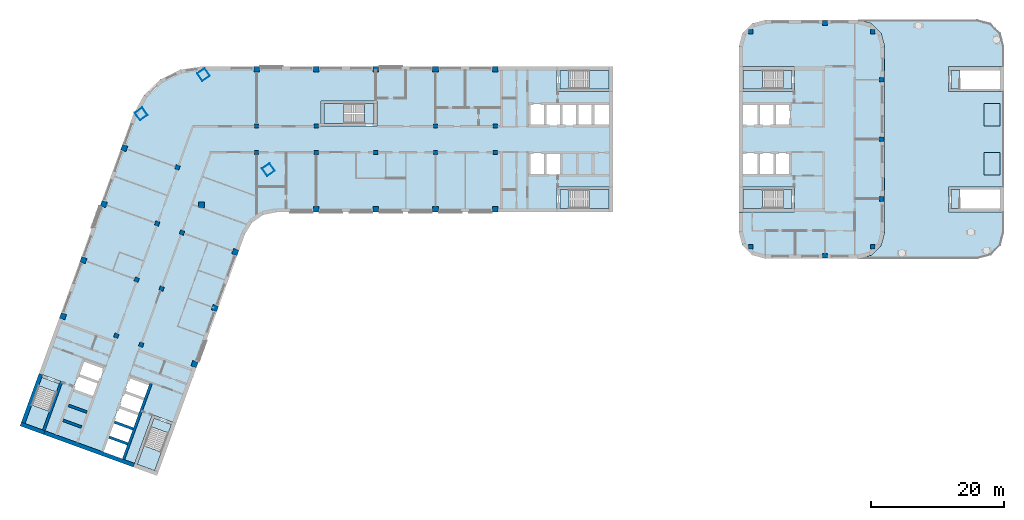
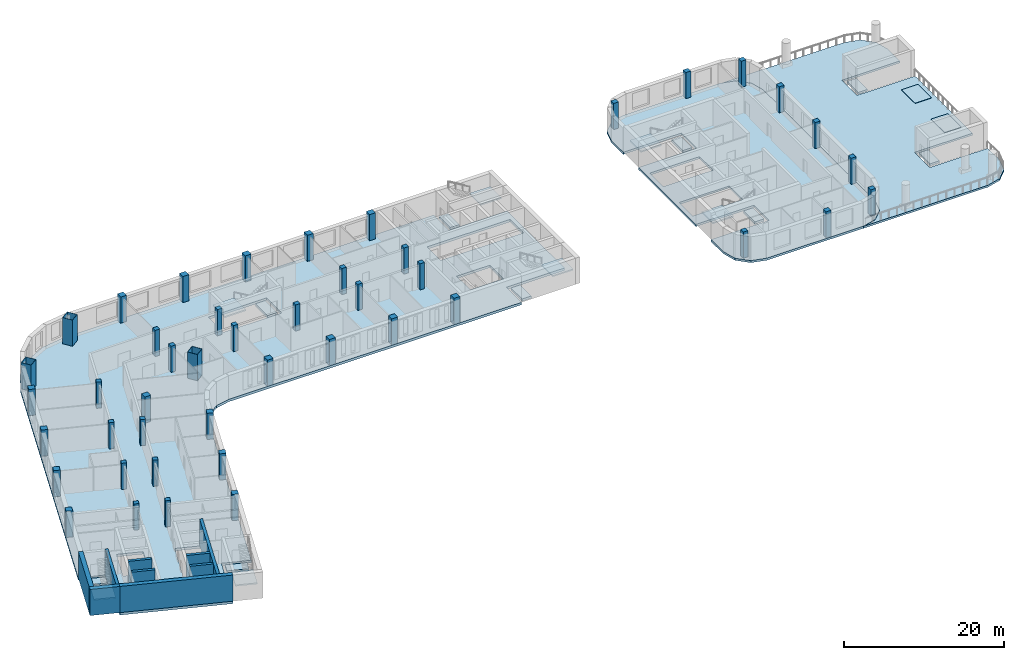
# One storey, part 1 of 14: 45 columns, 21 slabs, 9 walls, 7 elements without a shape of their own.
"""IFC4 building model written with IfcOpenShell, lengths in metres."""

from ifc_helpers import new_model, si_unit, direction, frame, frame_2d, origin, origin_2d, place, context, subcontext, project, spatial, polyline, rectangle, hollow_rectangle, outline, extrude, material, layer, layer_set, material_profile, profile_set, type_object, element, aggregate, save


model = new_model("IFC4")

# Units and contexts
model_context = context("Model", 3, precision=1e-05, world=origin(), true_north=direction((0.0, 1.0)))
body_context = subcontext(model_context, "Body", "Model", "MODEL_VIEW")
ifc_project = project(units=[si_unit("LENGTHUNIT", "METRE"), si_unit("AREAUNIT", "SQUARE_METRE"), si_unit("VOLUMEUNIT", "CUBIC_METRE"), si_unit("PLANEANGLEUNIT", "RADIAN"), si_unit("MASSUNIT", "GRAM", prefix="KILO")], contexts=[model_context])

# Site, building, storey
site_placement = place(None, origin())
site = spatial("IfcSite", under=ifc_project, at=site_placement, CompositionType="ELEMENT")
building_placement = place(site_placement, origin())
building = spatial("IfcBuilding", under=site, at=building_placement, Name="Skarvind Civic Tower", CompositionType="ELEMENT")
storey_placement = place(building_placement, frame((0.0, 0.0, 89.0)))
storey = spatial("IfcBuildingStorey", under=building, at=storey_placement, Name="L20", CompositionType="ELEMENT", Elevation=89.0)

# Columns
ifc_material_1 = material(Name="Concrete C60", Category="concrete")
ifc_material_profile_1 = material_profile(ifc_material_1, rectangle(XDim=0.64990234375, YDim=0.64990234375, at=origin_2d()), Name="RC-650x650")
ifc_profile_set_1 = profile_set([ifc_material_profile_1], Name="Concrete C60")
column_type_1 = type_object("IfcColumnType", Name="Column RC-650x650 C60", PredefinedType="COLUMN", material=ifc_profile_set_1)
for number, where, z_axis, x_axis, name in (
    (1, (54.25, 130.0, 0.0), (0.0, 0.0, 1.0), (1.0, 0.0, 0.0), "Column wing 1 north inner 02 L20"),
    (2, (63.25, 130.0, 0.0), (0.0, 0.0, 1.0), (1.0, 0.0, 0.0), "Column wing 1 north inner 03 L20"),
    (3, (81.25, 130.0, 0.0), (0.0, 0.0, 1.0), (1.0, 0.0, 0.0), "Column wing 1 north inner 05 L20"),
    (4, (90.25, 130.0, 0.0), (0.0, 0.0, 1.0), (1.0, 0.0, 0.0), "Column wing 1 north inner 06 L20"),
    (5, (54.25, 126.0, 0.0), (0.0, 0.0, 1.0), (1.0, 0.0, 0.0), "Column wing 1 south inner 02 L20"),
    (6, (63.25, 126.0, 0.0), (0.0, 0.0, 1.0), (1.0, 0.0, 0.0), "Column wing 1 south inner 03 L20"),
    (7, (72.25, 126.0, 0.0), (0.0, 0.0, 1.0), (1.0, 0.0, 0.0), "Column wing 1 south inner 04 L20"),
    (8, (81.25, 126.0, 0.0), (0.0, 0.0, 1.0), (1.0, 0.0, 0.0), "Column wing 1 south inner 05 L20"),
    (9, (90.25, 126.0, 0.0), (0.0, 0.0, 1.0), (1.0, 0.0, 0.0), "Column wing 1 south inner 06 L20"),
    (10, (43.005615234375, 113.92529296875, 0.0), (0.0, 0.0, 1.0), (-0.342020143326, -0.939692620786, 0.0), "Column wing 2 left inner 02 L20"),
    (11, (39.927490234375, 105.468017578125, 0.0), (0.0, 0.0, 1.0), (-0.342020143326, -0.939692620786, 0.0), "Column wing 2 left inner 03 L20"),
    (12, (36.84912109375, 97.010986328125, 0.0), (0.0, 0.0, 1.0), (-0.342020143326, -0.939692620786, 0.0), "Column wing 2 left inner 04 L20"),
    (13, (42.324951171875, 123.750732421875, 0.0), (0.0, 0.0, 1.0), (-0.342020143326, -0.939692620786, 0.0), "Column wing 2 right inner 01 L20"),
    (14, (39.246826171875, 115.29345703125, 0.0), (0.0, 0.0, 1.0), (-0.342020143326, -0.939692620786, 0.0), "Column wing 2 right inner 02 L20"),
    (15, (36.168701171875, 106.836181640625, 0.0), (0.0, 0.0, 1.0), (-0.342020143326, -0.939692620786, 0.0), "Column wing 2 right inner 03 L20"),
    (16, (33.090576171875, 98.37890625, 0.0), (0.0, 0.0, 1.0), (-0.342020143326, -0.939692620786, 0.0), "Column wing 2 right inner 04 L20"),
):
    element("IfcColumn", number, at=place(storey_placement, frame(where, z_axis=z_axis, x_axis=x_axis)), inside=storey, type_object=column_type_1, Name=name, PredefinedType="COLUMN", context=body_context, shape_type="SweptSolid", body=[
        extrude(rectangle(XDim=0.64990234375, YDim=0.64990234375, at=origin_2d()), origin(), (0.0, 0.0, 1.0), 4.0),
    ])
ifc_material_profile_2 = material_profile(ifc_material_1, rectangle(XDim=0.699951171875, YDim=0.699951171875, at=origin_2d()), Name="RC-700x700")
ifc_profile_set_2 = profile_set([ifc_material_profile_2], Name="Concrete C60")
column_type_2 = type_object("IfcColumnType", Name="Column RC-700x700 C60", PredefinedType="COLUMN", material=ifc_profile_set_2)
for number, where, z_axis, x_axis, name in (
    (17, (128.777099609375, 144.222900390625, 0.0), (0.0, 0.0, 1.0), (1.0, 0.0, 0.0), "Column second tower north-west corner L20"),
    (18, (128.777099609375, 111.777099609375, 0.0), (0.0, 0.0, 1.0), (1.0, 0.0, 0.0), "Column second tower south-west corner L20"),
    (19, (148.550048828125, 119.0, 0.0), (0.0, 0.0, 1.0), (1.0, 0.0, 0.0), "Column second tower middle line 01 L20"),
    (20, (148.550048828125, 128.0, 0.0), (0.0, 0.0, 1.0), (1.0, 0.0, 0.0), "Column second tower middle line 02 L20"),
    (21, (148.550048828125, 137.0, 0.0), (0.0, 0.0, 1.0), (1.0, 0.0, 0.0), "Column second tower middle line 03 L20"),
    (22, (140.0, 145.550048828125, 0.0), (0.0, 0.0, 1.0), (1.0, 0.0, 0.0), "Column second tower north perimeter 02 L20"),
    (23, (147.222900390625, 144.222900390625, 0.0), (0.0, 0.0, 1.0), (1.0, 0.0, 0.0), "Column second tower north perimeter 03 L20"),
    (24, (140.0, 110.449951171875, 0.0), (0.0, 0.0, 1.0), (1.0, 0.0, 0.0), "Column second tower south perimeter 02 L20"),
    (25, (147.222900390625, 111.777099609375, 0.0), (0.0, 0.0, 1.0), (1.0, 0.0, 0.0), "Column second tower south perimeter 03 L20"),
):
    element("IfcColumn", number, at=place(storey_placement, frame(where, z_axis=z_axis, x_axis=x_axis)), inside=storey, type_object=column_type_2, Name=name, PredefinedType="COLUMN", context=body_context, shape_type="SweptSolid", body=[
        extrude(rectangle(XDim=0.699951171875, YDim=0.699951171875, at=origin_2d()), origin(), (0.0, 0.0, 1.0), 4.0),
    ])
ifc_material_2 = material(Name="Concrete C80", Category="concrete")
ifc_material_profile_3 = material_profile(ifc_material_2, rectangle(XDim=0.85009765625, YDim=0.85009765625, at=origin_2d()), Name="RC-850x850")
ifc_profile_set_3 = profile_set([ifc_material_profile_3], Name="Concrete C80")
column_type_3 = type_object("IfcColumnType", Name="Column RC-850x850 C80", PredefinedType="COLUMN", material=ifc_profile_set_3)
for number, where, z_axis, x_axis, name in (
    (26, (54.25, 138.550048828125, 0.0), (0.0, 0.0, 1.0), (1.0, 0.0, 0.0), "Column wing 1 north perimeter 02 L20"),
    (27, (63.25, 138.550048828125, 0.0), (0.0, 0.0, 1.0), (1.0, 0.0, 0.0), "Column wing 1 north perimeter 03 L20"),
    (28, (72.25, 138.550048828125, 0.0), (0.0, 0.0, 1.0), (1.0, 0.0, 0.0), "Column wing 1 north perimeter 04 L20"),
    (29, (81.25, 138.550048828125, 0.0), (0.0, 0.0, 1.0), (1.0, 0.0, 0.0), "Column wing 1 north perimeter 05 L20"),
    (30, (90.25, 138.550048828125, 0.0), (0.0, 0.0, 1.0), (1.0, 0.0, 0.0), "Column wing 1 north perimeter 06 L20"),
    (31, (45.95166015625, 118.151611328125, 0.0), (0.0, 0.0, 1.0), (1.0, 0.0, 0.0), "Column wing 1 south perimeter 01 L20"),
    (32, (63.25, 117.449951171875, 0.0), (0.0, 0.0, 1.0), (1.0, 0.0, 0.0), "Column wing 1 south perimeter 03 L20"),
    (33, (72.25, 117.449951171875, 0.0), (0.0, 0.0, 1.0), (1.0, 0.0, 0.0), "Column wing 1 south perimeter 04 L20"),
    (34, (81.25, 117.449951171875, 0.0), (0.0, 0.0, 1.0), (1.0, 0.0, 0.0), "Column wing 1 south perimeter 05 L20"),
    (35, (90.25, 117.449951171875, 0.0), (0.0, 0.0, 1.0), (1.0, 0.0, 0.0), "Column wing 1 south perimeter 06 L20"),
    (36, (51.0400390625, 111.0009765625, 0.0), (0.0, 0.0, 1.0), (-0.342020143326, -0.939692620786, 0.0), "Column wing 2 left perimeter 02 L20"),
    (37, (47.961669921875, 102.5439453125, 0.0), (0.0, 0.0, 1.0), (-0.342020143326, -0.939692620786, 0.0), "Column wing 2 left perimeter 03 L20"),
    (38, (44.883544921875, 94.086669921875, 0.0), (0.0, 0.0, 1.0), (-0.342020143326, -0.939692620786, 0.0), "Column wing 2 left perimeter 04 L20"),
    (39, (34.29052734375, 126.6748046875, 0.0), (0.0, 0.0, 1.0), (-0.342020143326, -0.939692620786, 0.0), "Column wing 2 right perimeter 01 L20"),
    (40, (31.21240234375, 118.2177734375, 0.0), (0.0, 0.0, 1.0), (-0.342020143326, -0.939692620786, 0.0), "Column wing 2 right perimeter 02 L20"),
    (41, (28.13427734375, 109.760498046875, 0.0), (0.0, 0.0, 1.0), (-0.342020143326, -0.939692620786, 0.0), "Column wing 2 right perimeter 03 L20"),
    (42, (25.05615234375, 101.30322265625, 0.0), (0.0, 0.0, 1.0), (-0.342020143326, -0.939692620786, 0.0), "Column wing 2 right perimeter 04 L20"),
):
    element("IfcColumn", number, at=place(storey_placement, frame(where, z_axis=z_axis, x_axis=x_axis)), inside=storey, type_object=column_type_3, Name=name, PredefinedType="COLUMN", context=body_context, shape_type="SweptSolid", body=[
        extrude(rectangle(XDim=0.85009765625, YDim=0.85009765625, at=origin_2d()), origin(), (0.0, 0.0, 1.0), 4.0),
    ])
ifc_material_3 = material(Name="Composite concrete-filled steel tube, Steel SM355 with Concrete C80", Category="concrete")
ifc_material_profile_4 = material_profile(ifc_material_3, hollow_rectangle(XDim=1.39990234375, YDim=1.39990234375, WallThickness=0.0400390625, at=origin_2d()), Name="BOX-1400x1400x40")
ifc_profile_set_4 = profile_set([ifc_material_profile_4], Name="Composite concrete-filled steel tube, Steel SM355 with Concrete C80")
column_type_4 = type_object("IfcColumnType", Name="Mega column BOX-1400x1400x40 filled C80", PredefinedType="COLUMN", material=ifc_profile_set_4)
for number, where, z_axis, x_axis, name in (
    (43, (36.845947265625, 131.837646484375, 0.0), (0.0, 0.0, 1.0), (0.573576436351, -0.819152044289, 0.0), "Mega column 1 L20"),
    (44, (46.2470703125, 137.762451171875, 0.0), (0.0, 0.0, 1.0), (0.573576436351, -0.819152044289, 0.0), "Mega column 2 L20"),
    (45, (56.0361328125, 123.43017578125, 0.0), (0.0, 0.0, 1.0), (0.573576436351, -0.819152044289, 0.0), "Mega column 4 L20"),
):
    element("IfcColumn", number, at=place(storey_placement, frame(where, z_axis=z_axis, x_axis=x_axis)), inside=storey, type_object=column_type_4, Name=name, PredefinedType="COLUMN", context=body_context, shape_type="SweptSolid", body=[
        extrude(hollow_rectangle(XDim=1.39990234375, YDim=1.39990234375, WallThickness=0.0400390625, at=origin_2d()), origin(), (0.0, 0.0, 1.0), 4.0),
    ])

# Slabs
ifc_material_4 = material(Name="Concrete C50", Category="concrete")
ifc_layer_1 = layer(ifc_material_4, 0.375)
ifc_layer_set_1 = layer_set([ifc_layer_1], Name="Floor slab 375 C50")
slab_type_1 = type_object("IfcSlabType", Name="Floor slab 375 C50", PredefinedType="FLOOR", material=ifc_layer_set_1)
slab_1_placement = place(storey_placement, frame((0.0, 0.0, -0.375)))
element("IfcSlab", 46, at=slab_1_placement, inside=storey, type_object=slab_type_1, Name="Floor slab L20 1", PredefinedType="FLOOR", context=body_context, shape_type="SweptSolid", body=[
    extrude(outline(polyline([(99.60009765625, 117.0), (99.60009765625, 120.800048828125), (108.0, 120.800048828125), (108.0, 135.199951171875), (99.60009765625, 135.199951171875), (99.60009765625, 139.0), (46.095458984375, 139.0), (42.739501953125, 138.5009765625), (39.6943359375, 137.005615234375), (37.24755859375, 134.6552734375), (35.630615234375, 131.672607421875), (19.41748046875, 87.126708984375), (21.435302734375, 92.6708984375), (25.006103515625, 91.371337890625), (22.13330078125, 83.477783203125), (36.886474609375, 78.108154296875), (35.664794921875, 78.552734375), (38.53759765625, 86.4462890625), (42.108642578125, 85.146484375), (40.0908203125, 79.602294921875), (40.0908203125, 79.602294921875), (52.493896484375, 113.68017578125), (53.560791015625, 115.421630859375), (55.23388671875, 116.593017578125), (57.235107421875, 117.0), (99.60009765625, 117.0)]), holes=[polyline([(32.625244140625, 85.40576171875), (33.446044921875, 87.660888671875), (34.26708984375, 89.916259765625), (35.087890625, 92.17138671875), (38.28271484375, 91.008544921875), (37.4619140625, 88.75341796875), (36.64111328125, 86.498046875), (35.8203125, 84.242919921875), (35.8203125, 84.242919921875), (34.99951171875, 81.987548828125), (34.178466796875, 79.732421875), (30.983642578125, 80.89501953125), (31.804443359375, 83.150390625), (32.625244140625, 85.40576171875), (32.625244140625, 85.40576171875)]), polyline([(31.3291015625, 93.53955078125), (30.50830078125, 91.2841796875), (29.6875, 89.029052734375), (26.492431640625, 90.19189453125), (27.313232421875, 92.447021484375), (28.134033203125, 94.702392578125), (31.3291015625, 93.53955078125)]), polyline([(64.0, 130.0), (64.0, 133.800048828125), (72.39990234375, 133.800048828125), (72.39990234375, 130.0), (64.0, 130.0)]), polyline([(100.199951171875, 126.0), (100.199951171875, 122.60009765625), (97.800048828125, 122.60009765625), (95.39990234375, 122.60009765625), (95.39990234375, 126.0), (97.800048828125, 126.0), (100.199951171875, 126.0)]), polyline([(100.199951171875, 133.39990234375), (102.60009765625, 133.39990234375), (105.0, 133.39990234375), (107.39990234375, 133.39990234375), (107.39990234375, 130.0), (105.0, 130.0), (102.60009765625, 130.0), (100.199951171875, 130.0), (97.800048828125, 130.0), (95.39990234375, 130.0), (95.39990234375, 133.39990234375), (97.800048828125, 133.39990234375), (100.199951171875, 133.39990234375)])]), origin(), (0.0, 0.0, 1.0), 0.375),
])
ifc_material_5 = material(Name="Concrete C40/50", Category="concrete")
ifc_layer_2 = layer(ifc_material_5, 0.300048828125)
ifc_layer_set_2 = layer_set([ifc_layer_2], Name="Lift overrun roof slab")
slab_type_2 = type_object("IfcSlabType", Name="Lift overrun roof slab", PredefinedType="ROOF", material=ifc_layer_set_2)
slab_2_placement = place(storey_placement, frame((0.0, 0.0, -0.300048828125)))
element("IfcSlab", 47, at=slab_2_placement, inside=storey, type_object=slab_type_2, Name="Lift overrun roof slab", PredefinedType="ROOF", context=body_context, shape_type="SweptSolid", body=[
    extrude(outline(polyline([(166.39990234375, 133.39990234375), (164.0, 133.39990234375), (164.0, 130.0), (166.39990234375, 130.0), (166.39990234375, 133.39990234375)])), origin(), (0.0, 0.0, 1.0), 0.300048828125),
])
slab_3_placement = place(storey_placement, frame((0.0, 0.0, -0.300048828125)))
element("IfcSlab", 48, at=slab_3_placement, inside=storey, type_object=slab_type_2, Name="Lift overrun roof slab", PredefinedType="ROOF", context=body_context, shape_type="SweptSolid", body=[
    extrude(outline(polyline([(166.39990234375, 126.0), (164.0, 126.0), (164.0, 122.60009765625), (166.39990234375, 122.60009765625), (166.39990234375, 126.0)])), origin(), (0.0, 0.0, 1.0), 0.300048828125),
])
ifc_layer_3 = layer(ifc_material_4, 0.324951171875)
ifc_layer_set_3 = layer_set([ifc_layer_3], Name="Second tower floor slab 325 C50")
slab_type_3 = type_object("IfcSlabType", Name="Second tower floor slab 325 C50", PredefinedType="FLOOR", material=ifc_layer_set_3)
slab_4_placement = place(storey_placement, frame((0.0, 0.0, -0.324951171875)))
element("IfcSlab", 49, at=slab_4_placement, inside=storey, type_object=slab_type_3, Name="Floor slab L20 1", PredefinedType="FLOOR", context=body_context, shape_type="SweptSolid", body=[
    extrude(outline(polyline([(127.0, 139.0), (135.39990234375, 139.0), (135.39990234375, 135.199951171875), (127.0, 135.199951171875), (127.0, 120.800048828125), (135.39990234375, 120.800048828125), (135.39990234375, 117.0), (127.0, 117.0), (127.0, 114.0), (127.535888671875, 112.0), (129.0, 110.535888671875), (131.0, 110.0), (145.0, 110.0), (147.0, 110.535888671875), (148.464111328125, 112.0), (149.0, 114.0), (149.0, 142.0), (148.464111328125, 144.0), (147.0, 145.464111328125), (145.0, 146.0), (131.0, 146.0), (129.0, 145.464111328125), (127.535888671875, 144.0), (127.0, 142.0), (127.0, 139.0)]), holes=[polyline([(132.39990234375, 126.0), (134.800048828125, 126.0), (134.800048828125, 122.60009765625), (132.39990234375, 122.60009765625), (130.0, 122.60009765625), (127.60009765625, 122.60009765625), (127.60009765625, 126.0), (130.0, 126.0), (132.39990234375, 126.0)]), polyline([(130.0, 133.39990234375), (132.39990234375, 133.39990234375), (134.800048828125, 133.39990234375), (134.800048828125, 130.0), (132.39990234375, 130.0), (130.0, 130.0), (127.60009765625, 130.0), (127.60009765625, 133.39990234375), (130.0, 133.39990234375)])]), origin(), (0.0, 0.0, 1.0), 0.324951171875),
])
ifc_layer_4 = layer(ifc_material_5, 0.300048828125)
ifc_layer_set_4 = layer_set([ifc_layer_4], Name="Stair floor landing slab 300")
slab_type_4 = type_object("IfcSlabType", Name="Stair floor landing slab 300", PredefinedType="LANDING", material=ifc_layer_set_4)
slab_5_placement = place(storey_placement, frame((0.0, 0.0, -0.300048828125)))
element("IfcSlab", 50, at=slab_5_placement, inside=storey, type_object=slab_type_4, Name="Stair floor landing", PredefinedType="LANDING", context=body_context, shape_type="SweptSolid", body=[
    extrude(outline(polyline([(160.3505859375, 138.400634765625), (160.3505859375, 135.599365234375), (158.99951171875, 135.599365234375), (158.99951171875, 138.400634765625), (160.3505859375, 138.400634765625)])), origin(), (0.0, 0.0, 1.0), 0.300048828125),
])
slab_6_placement = place(storey_placement, frame((0.0, 0.0, -0.300048828125)))
element("IfcSlab", 51, at=slab_6_placement, inside=storey, type_object=slab_type_4, Name="Stair floor landing", PredefinedType="LANDING", context=body_context, shape_type="SweptSolid", body=[
    extrude(outline(polyline([(160.3505859375, 120.400634765625), (160.3505859375, 117.599365234375), (158.99951171875, 117.599365234375), (158.99951171875, 120.400634765625), (160.3505859375, 120.400634765625)])), origin(), (0.0, 0.0, 1.0), 0.300048828125),
])
ifc_layer_5 = layer(ifc_material_5, 0.375)
ifc_layer_set_5 = layer_set([ifc_layer_5], Name="Stair floor landing slab 375")
slab_type_5 = type_object("IfcSlabType", Name="Stair floor landing slab 375", PredefinedType="LANDING", material=ifc_layer_set_5)
slab_7_placement = place(storey_placement, frame((0.0, 0.0, -0.375)))
element("IfcSlab", 52, at=slab_7_placement, inside=storey, type_object=slab_type_5, Name="Stair floor landing", PredefinedType="LANDING", context=body_context, shape_type="SweptSolid", body=[
    extrude(outline(polyline([(101.3505859375, 138.400634765625), (101.3505859375, 135.599365234375), (99.99951171875, 135.599365234375), (99.99951171875, 138.400634765625), (101.3505859375, 138.400634765625)])), origin(), (0.0, 0.0, 1.0), 0.375),
])
slab_8_placement = place(storey_placement, frame((0.0, 0.0, -0.375)))
element("IfcSlab", 53, at=slab_8_placement, inside=storey, type_object=slab_type_5, Name="Stair floor landing", PredefinedType="LANDING", context=body_context, shape_type="SweptSolid", body=[
    extrude(outline(polyline([(101.3505859375, 120.400634765625), (101.3505859375, 117.599365234375), (99.99951171875, 117.599365234375), (99.99951171875, 120.400634765625), (101.3505859375, 120.400634765625)])), origin(), (0.0, 0.0, 1.0), 0.375),
])
slab_9_placement = place(storey_placement, frame((0.0, 0.0, -0.375)))
element("IfcSlab", 54, at=slab_9_placement, inside=storey, type_object=slab_type_5, Name="Stair floor landing", PredefinedType="LANDING", context=body_context, shape_type="SweptSolid", body=[
    extrude(outline(polyline([(40.946533203125, 83.70654296875), (38.314208984375, 84.66455078125), (38.7763671875, 85.934326171875), (41.40869140625, 84.976318359375), (40.946533203125, 83.70654296875)])), origin(), (0.0, 0.0, 1.0), 0.375),
])
slab_10_placement = place(storey_placement, frame((0.0, 0.0, -0.375)))
element("IfcSlab", 55, at=slab_10_placement, inside=storey, type_object=slab_type_5, Name="Stair floor landing", PredefinedType="LANDING", context=body_context, shape_type="SweptSolid", body=[
    extrude(outline(polyline([(24.0322265625, 89.863037109375), (21.39990234375, 90.821044921875), (21.862060546875, 92.090576171875), (24.494384765625, 91.132568359375), (24.0322265625, 89.863037109375)])), origin(), (0.0, 0.0, 1.0), 0.375),
])
slab_11_placement = place(storey_placement, frame((0.0, 0.0, -0.375)))
element("IfcSlab", 56, at=slab_11_placement, inside=storey, type_object=slab_type_5, Name="Stair floor landing", PredefinedType="LANDING", context=body_context, shape_type="SweptSolid", body=[
    extrude(outline(polyline([(133.6494140625, 117.599365234375), (133.6494140625, 120.400634765625), (135.00048828125, 120.400634765625), (135.00048828125, 117.599365234375), (133.6494140625, 117.599365234375)])), origin(), (0.0, 0.0, 1.0), 0.375),
])
slab_12_placement = place(storey_placement, frame((0.0, 0.0, -0.375)))
element("IfcSlab", 57, at=slab_12_placement, inside=storey, type_object=slab_type_5, Name="Stair floor landing", PredefinedType="LANDING", context=body_context, shape_type="SweptSolid", body=[
    extrude(outline(polyline([(133.6494140625, 135.599365234375), (133.6494140625, 138.400634765625), (135.00048828125, 138.400634765625), (135.00048828125, 135.599365234375), (133.6494140625, 135.599365234375)])), origin(), (0.0, 0.0, 1.0), 0.375),
])
slab_13_placement = place(storey_placement, frame((0.0, 0.0, -0.375)))
element("IfcSlab", 58, at=slab_13_placement, inside=storey, type_object=slab_type_5, Name="Stair floor landing", PredefinedType="LANDING", context=body_context, shape_type="SweptSolid", body=[
    extrude(outline(polyline([(70.54931640625, 130.3994140625), (70.54931640625, 133.400634765625), (72.00048828125, 133.400634765625), (72.00048828125, 130.3994140625), (70.54931640625, 130.3994140625)])), origin(), (0.0, 0.0, 1.0), 0.375),
])

# Stair, slab
stair_type_1 = type_object("IfcStairType", Name="Exit stair, half-turn, concrete", PredefinedType="HALF_TURN_STAIR", material=ifc_material_5)
stair_1_placement = place(storey_placement, origin())
stair_1 = element("IfcStair", 59, at=stair_1_placement, inside=storey, type_object=stair_type_1, Name="Exit stair C1S", PredefinedType="HALF_TURN_STAIR")
ifc_layer_6 = layer(ifc_material_5, 0.199951171875)
ifc_layer_set_6 = layer_set([ifc_layer_6], Name="Stair half landing slab")
slab_type_6 = type_object("IfcSlabType", Name="Stair half landing slab", PredefinedType="LANDING", material=ifc_layer_set_6)
slab_14_placement = place(storey_placement, frame((0.0, 0.0, 1.800048828125)))
slab_14 = element("IfcSlab", 60, at=slab_14_placement, type_object=slab_type_6, Name="ST-C1S landing 1", PredefinedType="LANDING", context=body_context, shape_type="SweptSolid", body=[
    extrude(outline(polyline([(104.429443359375, 135.599365234375), (104.429443359375, 138.400634765625), (107.400634765625, 138.400634765625), (107.400634765625, 135.599365234375), (104.429443359375, 135.599365234375)])), origin(), (0.0, 0.0, 1.0), 0.199951171875),
])
aggregate(stair_1, [slab_14])

stair_2_placement = place(storey_placement, origin())
stair_2 = element("IfcStair", 61, at=stair_2_placement, inside=storey, type_object=stair_type_1, Name="Exit stair C1N", PredefinedType="HALF_TURN_STAIR")
slab_15_placement = place(storey_placement, frame((0.0, 0.0, 1.800048828125)))
slab_15 = element("IfcSlab", 62, at=slab_15_placement, type_object=slab_type_6, Name="ST-C1N landing 1", PredefinedType="LANDING", context=body_context, shape_type="SweptSolid", body=[
    extrude(outline(polyline([(104.429443359375, 117.599365234375), (104.429443359375, 120.400634765625), (107.400634765625, 120.400634765625), (107.400634765625, 117.599365234375), (104.429443359375, 117.599365234375)])), origin(), (0.0, 0.0, 1.0), 0.199951171875),
])
aggregate(stair_2, [slab_15])

stair_3_placement = place(storey_placement, origin())
stair_3 = element("IfcStair", 63, at=stair_3_placement, inside=storey, type_object=stair_type_1, Name="Exit stair C2S", PredefinedType="HALF_TURN_STAIR")
slab_16_placement = place(storey_placement, frame((0.0, 0.0, 1.800048828125)))
slab_16 = element("IfcSlab", 64, at=slab_16_placement, type_object=slab_type_6, Name="ST-C2S landing 1", PredefinedType="LANDING", context=body_context, shape_type="SweptSolid", body=[
    extrude(outline(polyline([(37.26123046875, 81.771484375), (39.8935546875, 80.8134765625), (38.87744140625, 78.021484375), (36.2451171875, 78.9794921875), (37.26123046875, 81.771484375)])), origin(), (0.0, 0.0, 1.0), 0.199951171875),
])
aggregate(stair_3, [slab_16])

stair_4_placement = place(storey_placement, origin())
stair_4 = element("IfcStair", 65, at=stair_4_placement, inside=storey, type_object=stair_type_1, Name="Exit stair C2N", PredefinedType="HALF_TURN_STAIR")
slab_17_placement = place(storey_placement, frame((0.0, 0.0, 1.800048828125)))
slab_17 = element("IfcSlab", 66, at=slab_17_placement, type_object=slab_type_6, Name="ST-C2N landing 1", PredefinedType="LANDING", context=body_context, shape_type="SweptSolid", body=[
    extrude(outline(polyline([(20.346923828125, 87.927734375), (22.97900390625, 86.9697265625), (21.962890625, 84.177734375), (19.33056640625, 85.1357421875), (20.346923828125, 87.927734375)])), origin(), (0.0, 0.0, 1.0), 0.199951171875),
])
aggregate(stair_4, [slab_17])

stair_5_placement = place(storey_placement, origin())
stair_5 = element("IfcStair", 67, at=stair_5_placement, inside=storey, type_object=stair_type_1, Name="Exit stair CAS", PredefinedType="HALF_TURN_STAIR")
slab_18_placement = place(storey_placement, frame((0.0, 0.0, 1.800048828125)))
slab_18 = element("IfcSlab", 68, at=slab_18_placement, type_object=slab_type_6, Name="ST-CAS landing 1", PredefinedType="LANDING", context=body_context, shape_type="SweptSolid", body=[
    extrude(outline(polyline([(130.570556640625, 120.400634765625), (130.570556640625, 117.599365234375), (127.599365234375, 117.599365234375), (127.599365234375, 120.400634765625), (130.570556640625, 120.400634765625)])), origin(), (0.0, 0.0, 1.0), 0.199951171875),
])
aggregate(stair_5, [slab_18])

stair_6_placement = place(storey_placement, origin())
stair_6 = element("IfcStair", 69, at=stair_6_placement, inside=storey, type_object=stair_type_1, Name="Exit stair CAN", PredefinedType="HALF_TURN_STAIR")
slab_19_placement = place(storey_placement, frame((0.0, 0.0, 1.800048828125)))
slab_19 = element("IfcSlab", 70, at=slab_19_placement, type_object=slab_type_6, Name="ST-CAN landing 1", PredefinedType="LANDING", context=body_context, shape_type="SweptSolid", body=[
    extrude(outline(polyline([(130.570556640625, 138.400634765625), (130.570556640625, 135.599365234375), (127.599365234375, 135.599365234375), (127.599365234375, 138.400634765625), (130.570556640625, 138.400634765625)])), origin(), (0.0, 0.0, 1.0), 0.199951171875),
])
aggregate(stair_6, [slab_19])

stair_type_2 = type_object("IfcStairType", Name="Exit stair 1450, half-turn, concrete", PredefinedType="HALF_TURN_STAIR", material=ifc_material_5)
stair_7_placement = place(storey_placement, origin())
stair_7 = element("IfcStair", 71, at=stair_7_placement, inside=storey, type_object=stair_type_2, Name="Exit stair CM", PredefinedType="HALF_TURN_STAIR")
slab_20_placement = place(storey_placement, frame((0.0, 0.0, 1.800048828125)))
slab_20 = element("IfcSlab", 72, at=slab_20_placement, type_object=slab_type_6, Name="ST-CM landing 1", PredefinedType="LANDING", context=body_context, shape_type="SweptSolid", body=[
    extrude(outline(polyline([(67.470703125, 133.400634765625), (67.470703125, 130.3994140625), (64.3994140625, 130.3994140625), (64.3994140625, 133.400634765625), (67.470703125, 133.400634765625)])), origin(), (0.0, 0.0, 1.0), 0.199951171875),
])
aggregate(stair_7, [slab_20])

# Slab
ifc_layer_7 = layer(ifc_material_4, 0.300048828125)
ifc_layer_set_7 = layer_set([ifc_layer_7], Name="Terrace slab 300 C50")
slab_type_7 = type_object("IfcSlabType", Name="Terrace slab 300 C50", PredefinedType="FLOOR", material=ifc_layer_set_7)
slab_21_placement = place(storey_placement, frame((0.0, 0.0, -0.35009765625)))
element("IfcSlab", 73, at=slab_21_placement, inside=storey, type_object=slab_type_7, Name="Terrace slab L20 1", PredefinedType="FLOOR", context=body_context, shape_type="SweptSolid", body=[
    extrude(outline(polyline([(163.0, 146.0), (145.0, 146.0), (147.0, 145.464111328125), (148.464111328125, 144.0), (149.0, 142.0), (149.0, 114.0), (148.464111328125, 112.0), (147.0, 110.535888671875), (145.0, 110.0), (163.0, 110.0), (165.0, 110.535888671875), (166.464111328125, 112.0), (167.0, 114.0), (167.0, 117.0), (158.60009765625, 117.0), (158.60009765625, 120.800048828125), (167.0, 120.800048828125), (167.0, 135.199951171875), (158.60009765625, 135.199951171875), (158.60009765625, 139.0), (167.0, 139.0), (167.0, 142.0), (166.464111328125, 144.0), (165.0, 145.464111328125), (163.0, 146.0)]), holes=[polyline([(166.39990234375, 122.60009765625), (164.0, 122.60009765625), (164.0, 126.0), (166.39990234375, 126.0), (166.39990234375, 122.60009765625)]), polyline([(166.39990234375, 130.0), (164.0, 130.0), (164.0, 133.39990234375), (166.39990234375, 133.39990234375), (166.39990234375, 130.0)])]), origin(), (0.0, 0.0, 1.0), 0.300048828125),
])

# Walls
ifc_layer_8 = layer(ifc_material_2, 0.39990234375)
ifc_layer_set_8 = layer_set([ifc_layer_8], Name="Core wall 400 C80")
wall_type_1 = type_object("IfcWallType", Name="Core wall 400 C80", PredefinedType="SHEAR", material=ifc_layer_set_8)
wall_1_placement = place(storey_placement, frame((22.150390625, 84.110107421875, 0.0), z_axis=(0.0, 0.0, 1.0), x_axis=(0.342016982193, 0.939693771338, 0.0)))
element("IfcWall", 74, at=wall_1_placement, inside=storey, type_object=wall_type_1, Name="Core wall C2 north stair inner L20", PredefinedType="SHEAR", context=body_context, shape_type="SweptSolid", body=[
    extrude(rectangle(XDim=7.800048828125, YDim=0.39990234375, at=frame_2d((3.89990234375, 0.0))), origin(), (0.0, 0.0, 1.0), 4.0),
])
wall_2_placement = place(storey_placement, frame((34.178466796875, 79.732177734375, 0.0), z_axis=(0.0, 0.0, 1.0), x_axis=(0.342014590177, 0.939694641948, 0.0)))
element("IfcWall", 75, at=wall_2_placement, inside=storey, type_object=wall_type_1, Name="Core wall C2 south lift row back L20", PredefinedType="SHEAR", context=body_context, shape_type="SweptSolid", body=[
    extrude(rectangle(XDim=12.2001953125, YDim=0.39990234375, at=frame_2d((6.10009765625, 0.0))), origin(), (0.0, 0.0, 1.0), 4.0),
])
for number, where, z_axis, x_axis, name in (
    (76, (34.8115234375, 82.055908203125, 0.0), (0.0, 0.0, 1.0), (-0.939686455819, 0.342037080957, 0.0), "Core wall C2 south lift row division 1 L20"),
    (77, (35.63232421875, 84.311279296875, 0.0), (0.0, 0.0, 1.0), (-0.939712609717, 0.341965219194, 0.0), "Core wall C2 south lift row division 2 L20"),
    (78, (27.857666015625, 84.5869140625, 0.0), (0.0, 0.0, 1.0), (-0.939686455819, 0.342037080957, 0.0), "Core wall C2 north lift row division 1 L20"),
):
    element("IfcWall", number, at=place(storey_placement, frame(where, z_axis=z_axis, x_axis=x_axis)), inside=storey, type_object=wall_type_1, Name=name, PredefinedType="SHEAR", context=body_context, shape_type="SweptSolid", body=[
        extrude(rectangle(XDim=3.0, YDim=0.39990234375, at=frame_2d((1.5, 0.0))), origin(), (0.0, 0.0, 1.0), 4.0),
    ])
wall_3_placement = place(storey_placement, frame((28.678466796875, 86.842041015625, 0.0), z_axis=(0.0, 0.0, 1.0), x_axis=(-0.939676934218, 0.342063238742, 0.0)))
element("IfcWall", 79, at=wall_3_placement, inside=storey, type_object=wall_type_1, Name="Core wall C2 north lift row division 2 L20", PredefinedType="SHEAR", context=body_context, shape_type="SweptSolid", body=[
    extrude(rectangle(XDim=2.999755859375, YDim=0.39990234375, at=frame_2d((1.5, 0.0))), origin(), (0.0, 0.0, 1.0), 4.0),
])
ifc_layer_9 = layer(ifc_material_2, 0.60009765625)
ifc_layer_set_9 = layer_set([ifc_layer_9], Name="Core wall 600 C80")
wall_type_2 = type_object("IfcWallType", Name="Core wall 600 C80", PredefinedType="SHEAR", material=ifc_layer_set_9)
wall_4_placement = place(storey_placement, frame((35.767333984375, 78.834716796875, 0.0), z_axis=(0.0, 0.0, 1.0), x_axis=(-0.939692894512, 0.342019391267, 0.0)))
element("IfcWall", 80, at=wall_4_placement, inside=storey, type_object=wall_type_2, Name="Core wall C2 tip between the stairs L20", PredefinedType="SHEAR", context=body_context, shape_type="SweptSolid", body=[
    extrude(rectangle(XDim=14.39990234375, YDim=0.60009765625, at=frame_2d((7.199951171875, 0.0))), origin(), (0.0, 0.0, 1.0), 4.0),
])
wall_5_placement = place(storey_placement, frame((22.23583984375, 83.759765625, 0.0), z_axis=(0.0, 0.0, 1.0), x_axis=(-0.939680822529, 0.342052557032, 0.0)))
element("IfcWall", 81, at=wall_5_placement, inside=storey, type_object=wall_type_2, Name="Core wall C2 tip at the north stair L20", PredefinedType="SHEAR", context=body_context, shape_type="SweptSolid", body=[
    extrude(rectangle(XDim=3.800048828125, YDim=0.60009765625, at=frame_2d((1.89990234375, 0.0))), origin(), (0.0, 0.0, 1.0), 4.0),
])
wall_6_placement = place(storey_placement, frame((19.049560546875, 85.23876953125, 0.0), z_axis=(0.0, 0.0, 1.0), x_axis=(0.342016982193, 0.939693771338, 0.0)))
element("IfcWall", 82, at=wall_6_placement, inside=storey, type_object=wall_type_2, Name="Core wall C2 north side at the stair L20", PredefinedType="SHEAR", context=body_context, shape_type="SweptSolid", body=[
    extrude(rectangle(XDim=7.800048828125, YDim=0.60009765625, at=frame_2d((3.89990234375, 0.0))), origin(), (0.0, 0.0, 1.0), 4.0),
])

save(model, "model.ifc")
